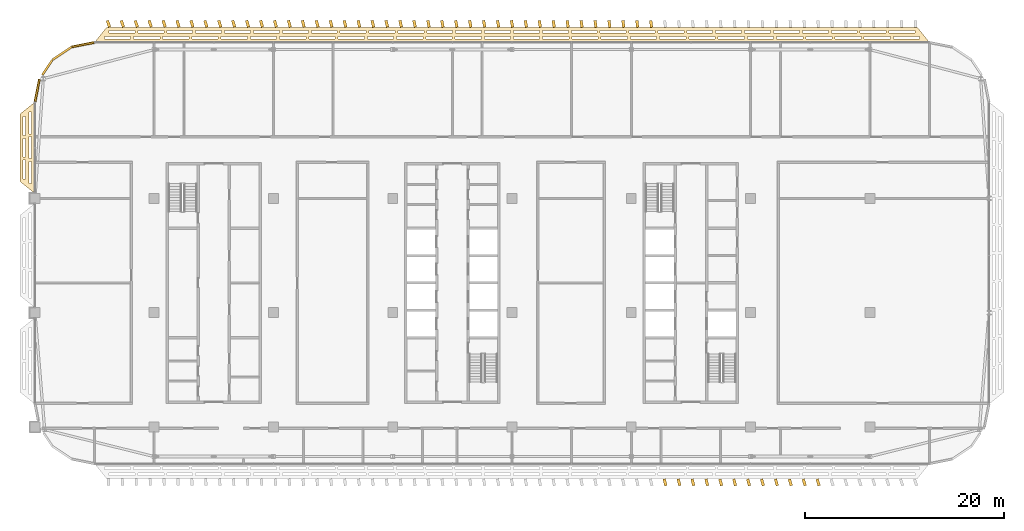
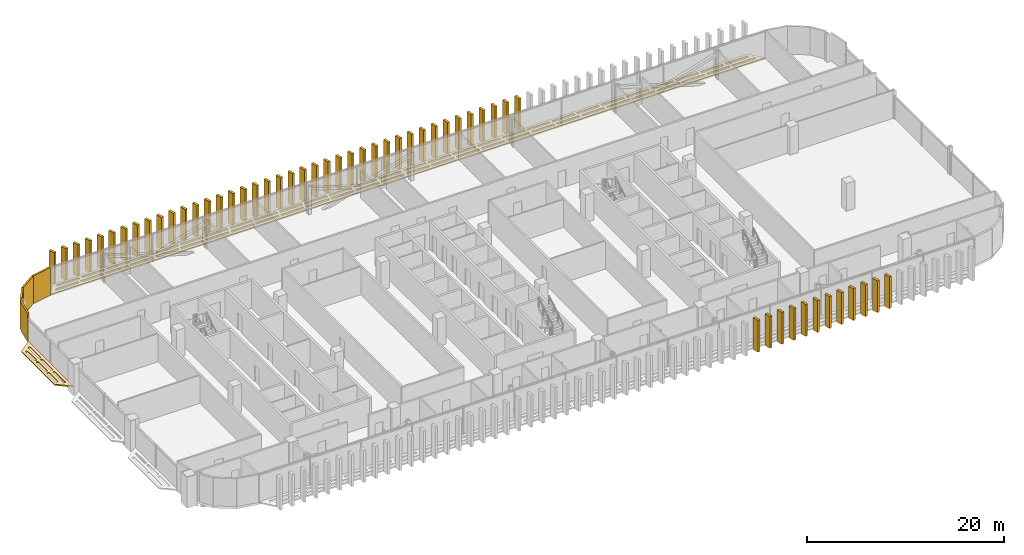
# One storey, part 32 of 34: 58 coverings.
"""IFC4 building model written with IfcOpenShell, lengths in metres."""

from ifc_helpers import new_model, si_unit, direction, frame, origin, origin_2d, place, context, subcontext, project, spatial, polyline, rectangle, outline, extrude, material, layer, layer_set, type_object, element, save


model = new_model("IFC4")

# Units and contexts
model_context = context("Model", 3, precision=1e-05, world=origin(), true_north=direction((0.0, 1.0)))
body_context = subcontext(model_context, "Body", "Model", "MODEL_VIEW")
ifc_project = project(units=[si_unit("LENGTHUNIT", "METRE"), si_unit("AREAUNIT", "SQUARE_METRE"), si_unit("VOLUMEUNIT", "CUBIC_METRE"), si_unit("PLANEANGLEUNIT", "RADIAN"), si_unit("MASSUNIT", "GRAM", prefix="KILO")], contexts=[model_context])

# Site, building, storey
site_placement = place(None, origin())
site = spatial("IfcSite", under=ifc_project, at=site_placement, CompositionType="ELEMENT")
building_placement = place(site_placement, origin())
building = spatial("IfcBuilding", under=site, at=building_placement, Name="Mahtab Terrace Research Tower", CompositionType="ELEMENT")
storey_placement = place(building_placement, frame((0.0, 0.0, 247.60009765625)))
storey = spatial("IfcBuildingStorey", under=building, at=storey_placement, Name="L60", CompositionType="ELEMENT", Elevation=247.60009765625)

# Coverings
ifc_material_1 = material(Name="Black aluminium cladding panel", Category="aluminium")
ifc_layer_1 = layer(ifc_material_1, 0.199951171875)
ifc_layer_set_1 = layer_set([ifc_layer_1], Name="Black metal corner cladding 200")
covering_type_1 = type_object("IfcCoveringType", Name="Black metal corner cladding 200", PredefinedType="CLADDING", material=ifc_layer_set_1)
for number, where, z_axis, x_axis, name in (
    (1, (-37.14794921875, 26.966552734375, 0.0), (0.0, 0.0, 1.0), (-0.980760981187, -0.195212442692, 0.0), "Corner cladding L60 4"),
    (2, (-39.26953125, 26.087890625, 0.0), (0.0, 0.0, 1.0), (-0.831655794326, -0.555291490808, 0.0), "Corner cladding L60 5"),
):
    element("IfcCovering", number, at=place(storey_placement, frame(where, z_axis=z_axis, x_axis=x_axis)), inside=storey, type_object=covering_type_1, Name=name, PredefinedType="CLADDING", context=body_context, shape_type="SweptSolid", body=[
        extrude(rectangle(XDim=2.30126953125, YDim=0.199951171875, at=origin_2d()), origin(), (0.0, 0.0, 1.0), 3.4599609375),
    ])
covering_1_placement = place(storey_placement, frame((-40.75146484375, 24.67626953125, 0.0), z_axis=(0.0, 0.0, 1.0), x_axis=(-0.555291490808, -0.831655794326, 0.0)))
element("IfcCovering", 3, at=covering_1_placement, inside=storey, type_object=covering_type_1, Name="Corner cladding L60 6", PredefinedType="CLADDING", context=body_context, shape_type="SweptSolid", body=[
    extrude(rectangle(XDim=1.791748046875, YDim=0.199951171875, at=origin_2d()), origin(), (0.0, 0.0, 1.0), 3.4599609375),
])
covering_2_placement = place(storey_placement, frame((-41.771484375, 22.343017578125, 0.0), z_axis=(0.0, 0.0, 1.0), x_axis=(-0.195212442692, -0.980760981187, 0.0)))
element("IfcCovering", 4, at=covering_2_placement, inside=storey, type_object=covering_type_1, Name="Corner cladding L60 7", PredefinedType="CLADDING", context=body_context, shape_type="SweptSolid", body=[
    extrude(rectangle(XDim=2.30126953125, YDim=0.199951171875, at=origin_2d()), origin(), (0.0, 0.0, 1.0), 3.4599609375),
])
ifc_material_2 = material(Name="Black anodised aluminium", Category="aluminium")
ifc_layer_2 = layer(ifc_material_2, 0.14990234375)
ifc_layer_set_2 = layer_set([ifc_layer_2], Name="Horizontal sunshade band")
covering_type_2 = type_object("IfcCoveringType", Name="Horizontal sunshade band", PredefinedType="CLADDING", material=ifc_layer_set_2)
covering_3_placement = place(storey_placement, frame((0.0, 0.0, -0.150146484375)))
element("IfcCovering", 5, at=covering_3_placement, inside=storey, type_object=covering_type_2, Name="Sunshade band L60 3", PredefinedType="CLADDING", context=body_context, shape_type="SweptSolid", body=[
    extrude(outline(polyline([(48.0, 27.195068359375), (-36.0, 27.195068359375), (-34.800048828125, 28.695068359375), (46.800048828125, 28.695068359375), (48.0, 27.195068359375)]), holes=[polyline([(47.02001953125, 27.544921875), (44.37890625, 27.544921875), (44.37890625, 27.794921875), (47.02001953125, 27.794921875), (47.02001953125, 27.544921875)]), polyline([(44.0791015625, 27.544921875), (41.43896484375, 27.544921875), (41.43896484375, 27.794921875), (44.0791015625, 27.794921875), (44.0791015625, 27.544921875)]), polyline([(41.138916015625, 27.544921875), (38.498046875, 27.544921875), (38.498046875, 27.794921875), (41.138916015625, 27.794921875), (41.138916015625, 27.544921875)]), polyline([(38.197998046875, 27.544921875), (35.556884765625, 27.544921875), (35.556884765625, 27.794921875), (38.197998046875, 27.794921875), (38.197998046875, 27.544921875)]), polyline([(35.257080078125, 27.544921875), (32.615966796875, 27.544921875), (32.615966796875, 27.794921875), (35.257080078125, 27.794921875), (35.257080078125, 27.544921875)]), polyline([(32.31591796875, 27.544921875), (29.676025390625, 27.544921875), (29.676025390625, 27.794921875), (32.31591796875, 27.794921875), (32.31591796875, 27.544921875)]), polyline([(29.3759765625, 27.544921875), (26.735107421875, 27.544921875), (26.735107421875, 27.794921875), (29.3759765625, 27.794921875), (29.3759765625, 27.544921875)]), polyline([(26.43505859375, 27.544921875), (23.7939453125, 27.544921875), (23.7939453125, 27.794921875), (26.43505859375, 27.794921875), (26.43505859375, 27.544921875)]), polyline([(23.493896484375, 27.544921875), (20.85400390625, 27.544921875), (20.85400390625, 27.794921875), (23.493896484375, 27.794921875), (23.493896484375, 27.544921875)]), polyline([(20.553955078125, 27.544921875), (17.9130859375, 27.544921875), (17.9130859375, 27.794921875), (20.553955078125, 27.794921875), (20.553955078125, 27.544921875)]), polyline([(17.613037109375, 27.544921875), (14.971923828125, 27.544921875), (14.971923828125, 27.794921875), (17.613037109375, 27.794921875), (17.613037109375, 27.544921875)]), polyline([(14.672119140625, 27.544921875), (12.031005859375, 27.544921875), (12.031005859375, 27.794921875), (14.672119140625, 27.794921875), (14.672119140625, 27.544921875)]), polyline([(11.73095703125, 27.544921875), (9.091064453125, 27.544921875), (9.091064453125, 27.794921875), (11.73095703125, 27.794921875), (11.73095703125, 27.544921875)]), polyline([(8.791015625, 27.544921875), (6.14990234375, 27.544921875), (6.14990234375, 27.794921875), (8.791015625, 27.794921875), (8.791015625, 27.544921875)]), polyline([(5.85009765625, 27.544921875), (3.208984375, 27.544921875), (3.208984375, 27.794921875), (5.85009765625, 27.794921875), (5.85009765625, 27.544921875)]), polyline([(2.908935546875, 27.544921875), (0.26904296875, 27.544921875), (0.26904296875, 27.794921875), (2.908935546875, 27.794921875), (2.908935546875, 27.544921875)]), polyline([(-0.031005859375, 27.544921875), (-2.672119140625, 27.544921875), (-2.672119140625, 27.794921875), (-0.031005859375, 27.794921875), (-0.031005859375, 27.544921875)]), polyline([(-2.971923828125, 27.544921875), (-5.613037109375, 27.544921875), (-5.613037109375, 27.794921875), (-2.971923828125, 27.794921875), (-2.971923828125, 27.544921875)]), polyline([(-5.9130859375, 27.544921875), (-8.553955078125, 27.544921875), (-8.553955078125, 27.794921875), (-5.9130859375, 27.794921875), (-5.9130859375, 27.544921875)]), polyline([(-8.85400390625, 27.544921875), (-11.493896484375, 27.544921875), (-11.493896484375, 27.794921875), (-8.85400390625, 27.794921875), (-8.85400390625, 27.544921875)]), polyline([(-11.7939453125, 27.544921875), (-14.43505859375, 27.544921875), (-14.43505859375, 27.794921875), (-11.7939453125, 27.794921875), (-11.7939453125, 27.544921875)]), polyline([(-14.735107421875, 27.544921875), (-17.3759765625, 27.544921875), (-17.3759765625, 27.794921875), (-14.735107421875, 27.794921875), (-14.735107421875, 27.544921875)]), polyline([(-17.676025390625, 27.544921875), (-20.31591796875, 27.544921875), (-20.31591796875, 27.794921875), (-17.676025390625, 27.794921875), (-17.676025390625, 27.544921875)]), polyline([(-20.615966796875, 27.544921875), (-23.257080078125, 27.544921875), (-23.257080078125, 27.794921875), (-20.615966796875, 27.794921875), (-20.615966796875, 27.544921875)]), polyline([(-23.556884765625, 27.544921875), (-26.197998046875, 27.544921875), (-26.197998046875, 27.794921875), (-23.556884765625, 27.794921875), (-23.556884765625, 27.544921875)]), polyline([(-26.498046875, 27.544921875), (-29.138916015625, 27.544921875), (-29.138916015625, 27.794921875), (-26.498046875, 27.794921875), (-26.498046875, 27.544921875)]), polyline([(-29.43896484375, 27.544921875), (-32.0791015625, 27.544921875), (-32.0791015625, 27.794921875), (-29.43896484375, 27.794921875), (-29.43896484375, 27.544921875)]), polyline([(-32.37890625, 27.544921875), (-35.02001953125, 27.544921875), (-35.02001953125, 27.794921875), (-32.37890625, 27.794921875), (-32.37890625, 27.544921875)]), polyline([(46.5400390625, 28.14501953125), (43.93408203125, 28.14501953125), (43.93408203125, 28.39501953125), (46.5400390625, 28.39501953125), (46.5400390625, 28.14501953125)]), polyline([(43.634033203125, 28.14501953125), (41.027099609375, 28.14501953125), (41.027099609375, 28.39501953125), (43.634033203125, 28.39501953125), (43.634033203125, 28.14501953125)]), polyline([(40.72705078125, 28.14501953125), (38.12109375, 28.14501953125), (38.12109375, 28.39501953125), (40.72705078125, 28.39501953125), (40.72705078125, 28.14501953125)]), polyline([(37.821044921875, 28.14501953125), (35.214111328125, 28.14501953125), (35.214111328125, 28.39501953125), (37.821044921875, 28.39501953125), (37.821044921875, 28.14501953125)]), polyline([(34.9140625, 28.14501953125), (32.30810546875, 28.14501953125), (32.30810546875, 28.39501953125), (34.9140625, 28.39501953125), (34.9140625, 28.14501953125)]), polyline([(32.008056640625, 28.14501953125), (29.40087890625, 28.14501953125), (29.40087890625, 28.39501953125), (32.008056640625, 28.39501953125), (32.008056640625, 28.14501953125)]), polyline([(29.10107421875, 28.14501953125), (26.4951171875, 28.14501953125), (26.4951171875, 28.39501953125), (29.10107421875, 28.39501953125), (29.10107421875, 28.14501953125)]), polyline([(26.195068359375, 28.14501953125), (23.589111328125, 28.14501953125), (23.589111328125, 28.39501953125), (26.195068359375, 28.39501953125), (26.195068359375, 28.14501953125)]), polyline([(23.2890625, 28.14501953125), (20.681884765625, 28.14501953125), (20.681884765625, 28.39501953125), (23.2890625, 28.39501953125), (23.2890625, 28.14501953125)]), polyline([(20.382080078125, 28.14501953125), (17.77587890625, 28.14501953125), (17.77587890625, 28.39501953125), (20.382080078125, 28.39501953125), (20.382080078125, 28.14501953125)]), polyline([(17.47607421875, 28.14501953125), (14.868896484375, 28.14501953125), (14.868896484375, 28.39501953125), (17.47607421875, 28.39501953125), (17.47607421875, 28.14501953125)]), polyline([(14.569091796875, 28.14501953125), (11.962890625, 28.14501953125), (11.962890625, 28.39501953125), (14.569091796875, 28.39501953125), (14.569091796875, 28.14501953125)]), polyline([(11.6630859375, 28.14501953125), (9.055908203125, 28.14501953125), (9.055908203125, 28.39501953125), (11.6630859375, 28.39501953125), (11.6630859375, 28.14501953125)]), polyline([(8.756103515625, 28.14501953125), (6.14990234375, 28.14501953125), (6.14990234375, 28.39501953125), (8.756103515625, 28.39501953125), (8.756103515625, 28.14501953125)]), polyline([(5.85009765625, 28.14501953125), (3.243896484375, 28.14501953125), (3.243896484375, 28.39501953125), (5.85009765625, 28.39501953125), (5.85009765625, 28.14501953125)]), polyline([(2.944091796875, 28.14501953125), (0.3369140625, 28.14501953125), (0.3369140625, 28.39501953125), (2.944091796875, 28.39501953125), (2.944091796875, 28.14501953125)]), polyline([(0.037109375, 28.14501953125), (-2.569091796875, 28.14501953125), (-2.569091796875, 28.39501953125), (0.037109375, 28.39501953125), (0.037109375, 28.14501953125)]), polyline([(-2.868896484375, 28.14501953125), (-5.47607421875, 28.14501953125), (-5.47607421875, 28.39501953125), (-2.868896484375, 28.39501953125), (-2.868896484375, 28.14501953125)]), polyline([(-5.77587890625, 28.14501953125), (-8.382080078125, 28.14501953125), (-8.382080078125, 28.39501953125), (-5.77587890625, 28.39501953125), (-5.77587890625, 28.14501953125)]), polyline([(-8.681884765625, 28.14501953125), (-11.2890625, 28.14501953125), (-11.2890625, 28.39501953125), (-8.681884765625, 28.39501953125), (-8.681884765625, 28.14501953125)]), polyline([(-11.589111328125, 28.14501953125), (-14.195068359375, 28.14501953125), (-14.195068359375, 28.39501953125), (-11.589111328125, 28.39501953125), (-11.589111328125, 28.14501953125)]), polyline([(-14.4951171875, 28.14501953125), (-17.10107421875, 28.14501953125), (-17.10107421875, 28.39501953125), (-14.4951171875, 28.39501953125), (-14.4951171875, 28.14501953125)]), polyline([(-17.40087890625, 28.14501953125), (-20.008056640625, 28.14501953125), (-20.008056640625, 28.39501953125), (-17.40087890625, 28.39501953125), (-17.40087890625, 28.14501953125)]), polyline([(-20.30810546875, 28.14501953125), (-22.9140625, 28.14501953125), (-22.9140625, 28.39501953125), (-20.30810546875, 28.39501953125), (-20.30810546875, 28.14501953125)]), polyline([(-23.214111328125, 28.14501953125), (-25.821044921875, 28.14501953125), (-25.821044921875, 28.39501953125), (-23.214111328125, 28.39501953125), (-23.214111328125, 28.14501953125)]), polyline([(-26.12109375, 28.14501953125), (-28.72705078125, 28.14501953125), (-28.72705078125, 28.39501953125), (-26.12109375, 28.39501953125), (-26.12109375, 28.14501953125)]), polyline([(-29.027099609375, 28.14501953125), (-31.634033203125, 28.14501953125), (-31.634033203125, 28.39501953125), (-29.027099609375, 28.39501953125), (-29.027099609375, 28.14501953125)]), polyline([(-31.93408203125, 28.14501953125), (-34.5400390625, 28.14501953125), (-34.5400390625, 28.39501953125), (-31.93408203125, 28.39501953125), (-31.93408203125, 28.14501953125)])]), origin(), (0.0, 0.0, 1.0), 0.150146484375),
])
covering_4_placement = place(storey_placement, frame((0.0, 0.0, -0.150146484375)))
element("IfcCovering", 6, at=covering_4_placement, inside=storey, type_object=covering_type_2, Name="Sunshade band L60 8", PredefinedType="CLADDING", context=body_context, shape_type="SweptSolid", body=[
    extrude(outline(polyline([(-42.0, 21.195068359375), (-42.0, 12.0), (-43.5, 13.199951171875), (-43.5, 19.9951171875), (-42.0, 21.195068359375)]), holes=[polyline([(-42.35009765625, 20.215087890625), (-42.35009765625, 18.0029296875), (-42.60009765625, 18.0029296875), (-42.60009765625, 20.215087890625), (-42.35009765625, 20.215087890625)]), polyline([(-42.35009765625, 17.702880859375), (-42.35009765625, 15.491943359375), (-42.60009765625, 15.491943359375), (-42.60009765625, 17.702880859375), (-42.35009765625, 17.702880859375)]), polyline([(-42.35009765625, 15.19189453125), (-42.35009765625, 12.97998046875), (-42.60009765625, 12.97998046875), (-42.60009765625, 15.19189453125), (-42.35009765625, 15.19189453125)]), polyline([(-42.949951171875, 19.735107421875), (-42.949951171875, 17.843017578125), (-43.199951171875, 17.843017578125), (-43.199951171875, 19.735107421875), (-42.949951171875, 19.735107421875)]), polyline([(-42.949951171875, 17.54296875), (-42.949951171875, 15.652099609375), (-43.199951171875, 15.652099609375), (-43.199951171875, 17.54296875), (-42.949951171875, 17.54296875)]), polyline([(-42.949951171875, 15.35205078125), (-42.949951171875, 13.4599609375), (-43.199951171875, 13.4599609375), (-43.199951171875, 15.35205078125), (-42.949951171875, 15.35205078125)])]), origin(), (0.0, 0.0, 1.0), 0.150146484375),
])
ifc_material_3 = material(Name="Bronze anodised aluminium", Category="aluminium")
ifc_layer_3 = layer(ifc_material_3, 0.1201171875)
ifc_layer_set_3 = layer_set([ifc_layer_3], Name="Vertical fin 700")
covering_type_3 = type_object("IfcCoveringType", Name="Vertical fin 700", PredefinedType="CLADDING", material=ifc_layer_set_3)
for number, where, z_axis, x_axis, name in (
    (7, (20.0, 29.058837890625, -0.14990234375), (0.0, 0.0, 1.0), (-0.993238357741, -0.116092914131, 0.0), "Fin L60 N20"),
    (8, (18.60009765625, 29.0595703125, -0.14990234375), (0.0, 0.0, 1.0), (-0.992546151641, -0.121869343405, 0.0), "Fin L60 N21"),
    (9, (17.199951171875, 29.06005859375, -0.14990234375), (0.0, 0.0, 1.0), (-0.991820351542, -0.127641647855, 0.0), "Fin L60 N22"),
    (10, (15.800048828125, 29.060546875, -0.14990234375), (0.0, 0.0, 1.0), (-0.991060982007, -0.133409632126, 0.0), "Fin L60 N23"),
    (11, (14.39990234375, 29.06103515625, -0.14990234375), (0.0, 0.0, 1.0), (-0.990268068742, -0.13917310096, 0.0), "Fin L60 N24"),
    (12, (13.0, 29.0615234375, -0.14990234375), (0.0, 0.0, 1.0), (-0.989441638582, -0.144931859301, 0.0), "Fin L60 N25"),
    (13, (11.60009765625, 29.06201171875, -0.14990234375), (0.0, 0.0, 1.0), (-0.988581719496, -0.150685712255, 0.0), "Fin L60 N26"),
    (14, (10.199951171875, 29.0625, -0.14990234375), (0.0, 0.0, 1.0), (-0.987688340595, -0.15643446504, 0.0), "Fin L60 N27"),
    (15, (8.800048828125, 29.06298828125, -0.14990234375), (0.0, 0.0, 1.0), (-0.986761532114, -0.1621779231, 0.0), "Fin L60 N28"),
    (16, (7.39990234375, 29.0634765625, -0.14990234375), (0.0, 0.0, 1.0), (-0.985801325417, -0.167915892057, 0.0), "Fin L60 N29"),
    (17, (6.0, 29.06396484375, -0.14990234375), (0.0, 0.0, 1.0), (-0.984807753012, -0.173648177667, 0.0), "Fin L60 N30"),
    (18, (4.60009765625, 29.064453125, -0.14990234375), (0.0, 0.0, 1.0), (-0.983780848524, -0.179374585932, 0.0), "Fin L60 N31"),
    (19, (3.199951171875, 29.06494140625, -0.14990234375), (0.0, 0.0, 1.0), (-0.982720646705, -0.18509492305, 0.0), "Fin L60 N32"),
    (20, (1.800048828125, 29.065185546875, -0.14990234375), (0.0, 0.0, 1.0), (-0.981627183448, -0.190808995377, 0.0), "Fin L60 N33"),
    (21, (0.39990234375, 29.065673828125, -0.14990234375), (0.0, 0.0, 1.0), (-0.980500495757, -0.196516609527, 0.0), "Fin L60 N34"),
    (22, (-1.0, 29.066162109375, -0.14990234375), (0.0, 0.0, 1.0), (-0.979340621764, -0.202217572338, 0.0), "Fin L60 N35"),
    (23, (-2.39990234375, 29.06640625, -0.14990234375), (0.0, 0.0, 1.0), (-0.978147600734, -0.207911690818, 0.0), "Fin L60 N36"),
    (24, (-3.800048828125, 29.06689453125, -0.14990234375), (0.0, 0.0, 1.0), (-0.976921473041, -0.21359877226, 0.0), "Fin L60 N37"),
    (25, (-5.199951171875, 29.067138671875, -0.14990234375), (0.0, 0.0, 1.0), (-0.975662280183, -0.219278624194, 0.0), "Fin L60 N38"),
    (26, (-6.60009765625, 29.067626953125, -0.14990234375), (0.0, 0.0, 1.0), (-0.974370064785, -0.224951054344, 0.0), "Fin L60 N39"),
    (27, (-8.0, 29.06787109375, -0.14990234375), (0.0, 0.0, 1.0), (-0.973044870581, -0.230615870737, 0.0), "Fin L60 N40"),
    (28, (-9.39990234375, 29.068115234375, -0.14990234375), (0.0, 0.0, 1.0), (-0.97168674242, -0.236272881656, 0.0), "Fin L60 N41"),
    (29, (-10.800048828125, 29.068359375, -0.14990234375), (0.0, 0.0, 1.0), (-0.970295726276, -0.2419218956, 0.0), "Fin L60 N42"),
    (30, (-12.199951171875, 29.06884765625, -0.14990234375), (0.0, 0.0, 1.0), (-0.968871869227, -0.247562721386, 0.0), "Fin L60 N43"),
    (31, (-13.60009765625, 29.069091796875, -0.14990234375), (0.0, 0.0, 1.0), (-0.967415219461, -0.25319516811, 0.0), "Fin L60 N44"),
    (32, (-15.0, 29.0693359375, -0.14990234375), (0.0, 0.0, 1.0), (-0.965925826289, -0.258819045103, 0.0), "Fin L60 N45"),
    (33, (-16.39990234375, 29.069580078125, -0.14990234375), (0.0, 0.0, 1.0), (-0.964403740116, -0.264434162032, 0.0), "Fin L60 N46"),
    (34, (-17.800048828125, 29.06982421875, -0.14990234375), (0.0, 0.0, 1.0), (-0.962849012456, -0.270040328864, 0.0), "Fin L60 N47"),
    (35, (-19.199951171875, 29.070068359375, -0.14990234375), (0.0, 0.0, 1.0), (-0.961261695938, -0.275637355817, 0.0), "Fin L60 N48"),
    (36, (-20.60009765625, 29.0703125, -0.14990234375), (0.0, 0.0, 1.0), (-0.959641844284, -0.28122505347, 0.0), "Fin L60 N49"),
    (37, (-22.0, 29.070556640625, -0.14990234375), (0.0, 0.0, 1.0), (-0.957989512314, -0.286803232717, 0.0), "Fin L60 N50"),
    (38, (-23.39990234375, 29.070556640625, -0.14990234375), (0.0, 0.0, 1.0), (-0.956304755963, -0.292371704723, 0.0), "Fin L60 N51"),
    (39, (-24.800048828125, 29.07080078125, -0.14990234375), (0.0, 0.0, 1.0), (-0.954587632249, -0.297930281033, 0.0), "Fin L60 N52"),
    (40, (-26.199951171875, 29.071044921875, -0.14990234375), (0.0, 0.0, 1.0), (-0.952838199286, -0.303478773527, 0.0), "Fin L60 N53"),
    (41, (-27.60009765625, 29.071044921875, -0.14990234375), (0.0, 0.0, 1.0), (-0.951056516295, -0.309016994375, 0.0), "Fin L60 N54"),
    (42, (-29.0, 29.0712890625, -0.14990234375), (0.0, 0.0, 1.0), (-0.949242643575, -0.314544756146, 0.0), "Fin L60 N55"),
    (43, (-30.39990234375, 29.0712890625, -0.14990234375), (0.0, 0.0, 1.0), (-0.947396642512, -0.320061871762, 0.0), "Fin L60 N56"),
    (44, (-31.800048828125, 29.071533203125, -0.14990234375), (0.0, 0.0, 1.0), (-0.945518575599, -0.325568154457, 0.0), "Fin L60 N57"),
    (45, (-33.199951171875, 29.071533203125, -0.14990234375), (0.0, 0.0, 1.0), (-0.943608506396, -0.331063417879, 0.0), "Fin L60 N58"),
    (46, (-34.60009765625, 29.07177734375, -0.14990234375), (0.0, 0.0, 1.0), (-0.941666499544, -0.336547476052, 0.0), "Fin L60 N59"),
    (47, (21.39990234375, -17.068115234375, -0.14990234375), (0.0, 0.0, 1.0), (0.97168674242, 0.236272881656, 0.0), "Fin L60 S41"),
    (48, (22.800048828125, -17.068359375, -0.14990234375), (0.0, 0.0, 1.0), (0.970295726276, 0.2419218956, 0.0), "Fin L60 S42"),
    (49, (24.199951171875, -17.06884765625, -0.14990234375), (0.0, 0.0, 1.0), (0.968871869227, 0.247562721386, 0.0), "Fin L60 S43"),
    (50, (25.60009765625, -17.069091796875, -0.14990234375), (0.0, 0.0, 1.0), (0.967415219461, 0.25319516811, 0.0), "Fin L60 S44"),
    (51, (27.0, -17.0693359375, -0.14990234375), (0.0, 0.0, 1.0), (0.965925826289, 0.258819045103, 0.0), "Fin L60 S45"),
    (52, (28.39990234375, -17.069580078125, -0.14990234375), (0.0, 0.0, 1.0), (0.964403740116, 0.264434162032, 0.0), "Fin L60 S46"),
    (53, (29.800048828125, -17.06982421875, -0.14990234375), (0.0, 0.0, 1.0), (0.962849012456, 0.270040328864, 0.0), "Fin L60 S47"),
    (54, (31.199951171875, -17.070068359375, -0.14990234375), (0.0, 0.0, 1.0), (0.961261695938, 0.275637355817, 0.0), "Fin L60 S48"),
    (55, (32.60009765625, -17.0703125, -0.14990234375), (0.0, 0.0, 1.0), (0.959641844284, 0.28122505347, 0.0), "Fin L60 S49"),
    (56, (34.0, -17.070556640625, -0.14990234375), (0.0, 0.0, 1.0), (0.957989512314, 0.286803232717, 0.0), "Fin L60 S50"),
    (57, (35.39990234375, -17.070556640625, -0.14990234375), (0.0, 0.0, 1.0), (0.956304755963, 0.292371704723, 0.0), "Fin L60 S51"),
    (58, (36.800048828125, -17.07080078125, -0.14990234375), (0.0, 0.0, 1.0), (0.954587632249, 0.297930281033, 0.0), "Fin L60 S52"),
):
    element("IfcCovering", number, at=place(storey_placement, frame(where, z_axis=z_axis, x_axis=x_axis)), inside=storey, type_object=covering_type_3, Name=name, PredefinedType="CLADDING", context=body_context, shape_type="SweptSolid", body=[
        extrude(rectangle(XDim=0.280029296875, YDim=0.699951171875, at=origin_2d()), origin(), (0.0, 0.0, 1.0), 3.949951171875),
    ])

save(model, "model.ifc")
